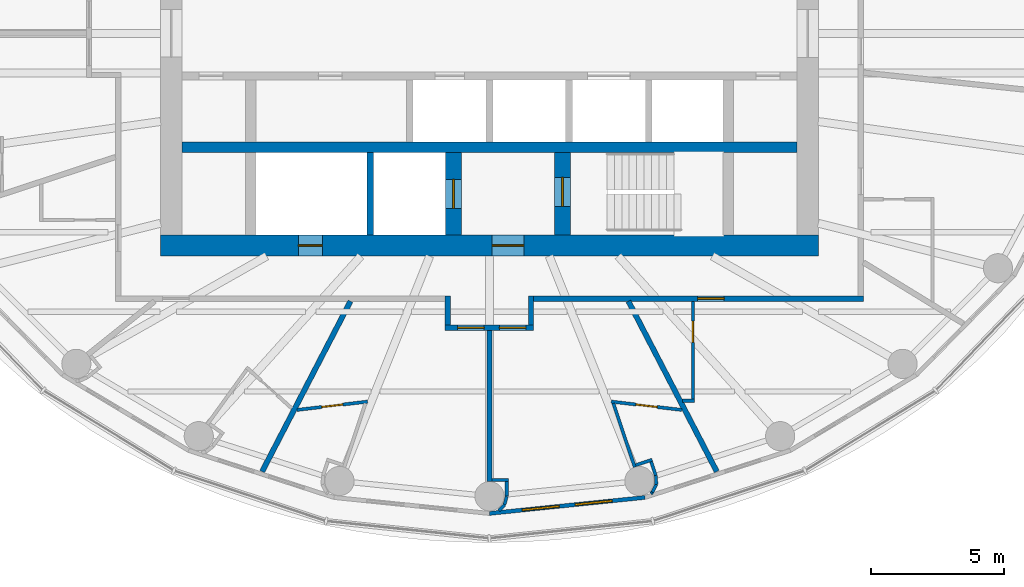
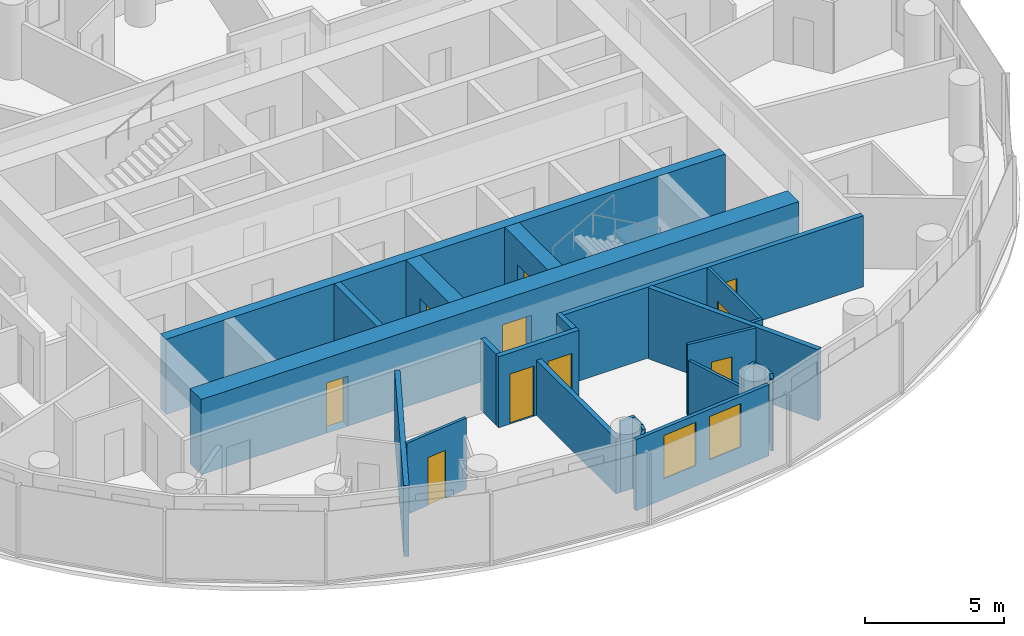
# One storey, part 7 of 13: 27 walls, 10 doors, 2 windows, 12 openings.
"""IFC4 building model written with IfcOpenShell, lengths in metres."""

from ifc_helpers import new_model, si_unit, direction, frame, frame_2d, origin, place, context, subcontext, project, spatial, rectangle, extrude, material, layer, layer_set, type_object, element, fill, save


model = new_model("IFC4")

# Units and contexts
model_context = context("Model", 3, precision=1e-05, world=origin(), true_north=direction((0.0, 1.0)))
body_context = subcontext(model_context, "Body", "Model", "MODEL_VIEW")
ifc_project = project(units=[si_unit("LENGTHUNIT", "METRE"), si_unit("AREAUNIT", "SQUARE_METRE"), si_unit("VOLUMEUNIT", "CUBIC_METRE"), si_unit("PLANEANGLEUNIT", "RADIAN"), si_unit("MASSUNIT", "GRAM", prefix="KILO")], contexts=[model_context])

# Site, building, storey
site_placement = place(None, origin())
site = spatial("IfcSite", under=ifc_project, at=site_placement, CompositionType="ELEMENT")
building_placement = place(site_placement, origin())
building = spatial("IfcBuilding", under=site, at=building_placement, Name="Hankou Lantern Tower", CompositionType="ELEMENT")
storey_placement = place(building_placement, frame((0.0, 0.0, 163.199951171875)))
storey = spatial("IfcBuildingStorey", under=building, at=storey_placement, Name="L43", CompositionType="ELEMENT", Elevation=163.199951171875)

# Wall, openings, doors
ifc_material_1 = material(Name="Concrete C60", Category="concrete")
ifc_layer_1 = layer(ifc_material_1, 0.800048828125)
ifc_layer_set_1 = layer_set([ifc_layer_1], Name="Concrete C60")
wall_type_1 = type_object("IfcWallType", Name="CW2 CORE WALL 800", PredefinedType="SHEAR", material=ifc_layer_set_1)
wall_1_placement = place(storey_placement, frame((12.39990234375, -8.0, 0.0), z_axis=(0.0, 0.0, 1.0), x_axis=(-1.0, 0.0, 0.0)))
wall_1 = element("IfcWall", 1, at=wall_1_placement, inside=storey, type_object=wall_type_1, Name="Core wall south L43", PredefinedType="SHEAR", context=body_context, shape_type="SweptSolid", body=[
    extrude(rectangle(XDim=24.7998046875, YDim=0.800048828125, at=frame_2d((12.39990234375, 0.0))), origin(), (0.0, 0.0, 1.0), 3.300048828125),
])
opening_1_placement = place(wall_1_placement, frame((11.10009765625, 0.0, 0.0)))
opening_1 = element("IfcOpeningElement", 2, at=opening_1_placement, cuts=wall_1, Name="Opening D5", PredefinedType="OPENING", context=body_context, shape_type="SweptSolid", body=[
    extrude(rectangle(XDim=1.199951171875, YDim=2.199951171875, at=frame_2d((0.60009765625, 1.10009765625))), frame((0.0, 0.409912109375, 0.0), z_axis=(0.0, -1.0, 0.0), x_axis=(1.0, 0.0, 0.0)), (0.0, 0.0, 1.0), 0.820068359375),
])
opening_2_placement = place(wall_1_placement, frame((18.699951171875, 0.0, 0.0)))
opening_2 = element("IfcOpeningElement", 3, at=opening_2_placement, cuts=wall_1, Name="Opening D7", PredefinedType="OPENING", context=body_context, shape_type="SweptSolid", body=[
    extrude(rectangle(XDim=0.89990234375, YDim=2.199951171875, at=frame_2d((0.449951171875, 1.10009765625))), frame((0.0, 0.409912109375, 0.0), z_axis=(0.0, -1.0, 0.0), x_axis=(1.0, 0.0, 0.0)), (0.0, 0.0, 1.0), 0.820068359375),
])
ifc_material_2 = material(Name="Steel door leaf", Category="steel")
door_type_1 = type_object("IfcDoorType", Name="D5 STAIR LOBBY DOOR 1200X2200", OperationType="SINGLE_SWING_LEFT", PredefinedType="DOOR", material=ifc_material_2)
door_1_placement = place(opening_1_placement, origin())
door_1 = element("IfcDoor", 4, at=door_1_placement, inside=storey, type_object=door_type_1, Name="Stair B lobby door", OperationType="SINGLE_SWING_LEFT", OverallHeight=2.199951171875, OverallWidth=1.199951171875, PredefinedType="DOOR", context=body_context, shape_type="SweptSolid", body=[
    extrude(rectangle(XDim=1.199951171875, YDim=2.199951171875, at=frame_2d((0.60009765625, 1.10009765625))), frame((0.0, 0.02490234375, 0.0), z_axis=(0.0, -1.0, 0.0), x_axis=(1.0, 0.0, 0.0)), (0.0, 0.0, 1.0), 0.050048828125),
])
fill(opening_1, door_1)
ifc_material_3 = material(Name="Steel door leaf", Category="steel")
door_type_2 = type_object("IfcDoorType", Name="D7 RISER DOOR 900X2200", OperationType="SINGLE_SWING_LEFT", PredefinedType="DOOR", material=ifc_material_3)
door_2_placement = place(opening_2_placement, origin())
door_2 = element("IfcDoor", 5, at=door_2_placement, inside=storey, type_object=door_type_2, Name="Riser S1 door", OperationType="SINGLE_SWING_RIGHT", OverallHeight=2.199951171875, OverallWidth=0.89990234375, PredefinedType="DOOR", context=body_context, shape_type="SweptSolid", body=[
    extrude(rectangle(XDim=0.89990234375, YDim=2.199951171875, at=frame_2d((0.449951171875, 1.10009765625))), frame((0.0, 0.02490234375, 0.0), z_axis=(0.0, -1.0, 0.0), x_axis=(1.0, 0.0, 0.0)), (0.0, 0.0, 1.0), 0.050048828125),
])
fill(opening_2, door_2)

# Wall
ifc_material_4 = material(Name="Concrete C60", Category="concrete")
ifc_layer_2 = layer(ifc_material_4, 0.39990234375)
ifc_layer_set_2 = layer_set([ifc_layer_2], Name="Concrete C60")
wall_type_2 = type_object("IfcWallType", Name="CW4 CORE CROSS WALL 400", PredefinedType="SHEAR", material=ifc_layer_set_2)
wall_2_placement = place(storey_placement, frame((-11.60009765625, -4.300048828125, 0.0), z_axis=(0.0, 0.0, 1.0), x_axis=(1.0, 0.0, 0.0)))
element("IfcWall", 6, at=wall_2_placement, inside=storey, type_object=wall_type_2, Name="Core band wall south L43", PredefinedType="SHEAR", context=body_context, shape_type="SweptSolid", body=[
    extrude(rectangle(XDim=23.2001953125, YDim=0.39990234375, at=frame_2d((11.60009765625, 0.0))), origin(), (0.0, 0.0, 1.0), 3.300048828125),
])

# Wall, opening, door
ifc_material_5 = material(Name="Concrete C60", Category="concrete")
ifc_layer_3 = layer(ifc_material_5, 0.60009765625)
ifc_layer_set_3 = layer_set([ifc_layer_3], Name="Concrete C60")
wall_type_3 = type_object("IfcWallType", Name="CW6 STAIR AND SHAFT WALL 600", PredefinedType="SHEAR", material=ifc_layer_set_3)
wall_3_placement = place(storey_placement, frame((2.75, -7.60009765625, 0.0), z_axis=(0.0, 0.0, 1.0), x_axis=(0.0, 1.0, 0.0)))
wall_3 = element("IfcWall", 7, at=wall_3_placement, inside=storey, type_object=wall_type_3, Name="Stair wall L43", PredefinedType="SHEAR", context=body_context, shape_type="SweptSolid", body=[
    extrude(rectangle(XDim=3.10009765625, YDim=0.60009765625, at=frame_2d((1.550048828125, 0.0))), origin(), (0.0, 0.0, 1.0), 3.300048828125),
])
opening_3_placement = place(wall_3_placement, frame((1.074951171875, 0.0, 0.0)))
opening_3 = element("IfcOpeningElement", 8, at=opening_3_placement, cuts=wall_3, Name="Opening D4", PredefinedType="OPENING", context=body_context, shape_type="SweptSolid", body=[
    extrude(rectangle(XDim=1.10009765625, YDim=2.199951171875, at=frame_2d((0.550048828125, 1.10009765625))), frame((0.0, 0.31005859375, 0.0), z_axis=(0.0, -1.0, 0.0), x_axis=(1.0, 0.0, 0.0)), (0.0, 0.0, 1.0), 0.6201171875),
])
ifc_material_6 = material(Name="Steel door leaf", Category="steel")
door_type_3 = type_object("IfcDoorType", Name="D4 STAIR DOOR 1100X2200", OperationType="SINGLE_SWING_LEFT", PredefinedType="DOOR", material=ifc_material_6)
door_3_placement = place(opening_3_placement, origin())
door_3 = element("IfcDoor", 9, at=door_3_placement, inside=storey, type_object=door_type_3, Name="Stair B door", OperationType="SINGLE_SWING_RIGHT", OverallHeight=2.199951171875, OverallWidth=1.10009765625, PredefinedType="DOOR", context=body_context, shape_type="SweptSolid", body=[
    extrude(rectangle(XDim=1.10009765625, YDim=2.199951171875, at=frame_2d((0.550048828125, 1.10009765625))), frame((0.0, 0.02490234375, 0.0), z_axis=(0.0, -1.0, 0.0), x_axis=(1.0, 0.0, 0.0)), (0.0, 0.0, 1.0), 0.050048828125),
])
fill(opening_3, door_3)

wall_4_placement = place(storey_placement, frame((-1.35009765625, -7.60009765625, 0.0), z_axis=(0.0, 0.0, 1.0), x_axis=(0.0, 1.0, 0.0)))
wall_4 = element("IfcWall", 10, at=wall_4_placement, inside=storey, type_object=wall_type_3, Name="Firefighting lift shaft wall L43", PredefinedType="SHEAR", context=body_context, shape_type="SweptSolid", body=[
    extrude(rectangle(XDim=3.10009765625, YDim=0.60009765625, at=frame_2d((1.550048828125, 0.0))), origin(), (0.0, 0.0, 1.0), 3.300048828125),
])
opening_4_placement = place(wall_4_placement, frame((1.0, 0.0, 0.0)))
opening_4 = element("IfcOpeningElement", 11, at=opening_4_placement, cuts=wall_4, Name="Opening LD2", PredefinedType="OPENING", context=body_context, shape_type="SweptSolid", body=[
    extrude(rectangle(XDim=1.10009765625, YDim=2.199951171875, at=frame_2d((0.550048828125, 1.10009765625))), frame((0.0, 0.31005859375, 0.0), z_axis=(0.0, -1.0, 0.0), x_axis=(1.0, 0.0, 0.0)), (0.0, 0.0, 1.0), 0.6201171875),
])
ifc_material_7 = material(Name="Steel door leaf", Category="steel")
door_type_4 = type_object("IfcDoorType", Name="LD2 FIREFIGHTING LIFT LANDING DOOR 1100X2200", OperationType="DOUBLE_DOOR_SLIDING", PredefinedType="DOOR", material=ifc_material_7)
door_4_placement = place(opening_4_placement, origin())
door_4 = element("IfcDoor", 12, at=door_4_placement, inside=storey, type_object=door_type_4, Name="Firefighting lift FL2 landing door", OperationType="DOUBLE_DOOR_SLIDING", OverallHeight=2.199951171875, OverallWidth=1.10009765625, PredefinedType="DOOR", context=body_context, shape_type="SweptSolid", body=[
    extrude(rectangle(XDim=1.10009765625, YDim=2.199951171875, at=frame_2d((0.550048828125, 1.10009765625))), frame((0.0, 0.02490234375, 0.0), z_axis=(0.0, -1.0, 0.0), x_axis=(1.0, 0.0, 0.0)), (0.0, 0.0, 1.0), 0.050048828125),
])
fill(opening_4, door_4)

# Wall, openings, windows
ifc_material_8 = material(Name="Aluminium spandrel panel on steel studs", Category="steel")
ifc_layer_4 = layer(ifc_material_8, 0.14990234375)
ifc_layer_set_4 = layer_set([ifc_layer_4], Name="Aluminium spandrel panel on steel studs")
wall_type_4 = type_object("IfcWallType", Name="EW1 INNER SKIN WALL 150", PredefinedType="ELEMENTEDWALL", material=ifc_layer_set_4)
wall_5_placement = place(storey_placement, frame((0.0, -18.10009765625, 0.0), z_axis=(0.0, 0.0, 1.0), x_axis=(0.994751738032, 0.102318032045, 0.0)))
wall_5 = element("IfcWall", 13, at=wall_5_placement, inside=storey, type_object=wall_type_4, Name="Inner skin R19-R20 L43", PredefinedType="ELEMENTEDWALL", context=body_context, shape_type="SweptSolid", body=[
    extrude(rectangle(XDim=5.891357421875, YDim=0.14990234375, at=frame_2d((2.94580078125, 0.0))), origin(), (0.0, 0.0, 1.0), 3.1201171875),
])
opening_5_placement = place(wall_5_placement, frame((1.24560546875, 0.0, 0.89990234375)))
opening_5 = element("IfcOpeningElement", 14, at=opening_5_placement, cuts=wall_5, Name="Opening W3", PredefinedType="OPENING", context=body_context, shape_type="SweptSolid", body=[
    extrude(rectangle(XDim=1.39990234375, YDim=1.89990234375, at=frame_2d((0.699951171875, 0.949951171875))), frame((0.0, 0.0849609375, 0.0), z_axis=(0.0, -1.0, 0.0), x_axis=(1.0, 0.0, 0.0)), (0.0, 0.0, 1.0), 0.169921875),
])
opening_6_placement = place(wall_5_placement, frame((3.24560546875, 0.0, 0.89990234375)))
opening_6 = element("IfcOpeningElement", 15, at=opening_6_placement, cuts=wall_5, Name="Opening W3", PredefinedType="OPENING", context=body_context, shape_type="SweptSolid", body=[
    extrude(rectangle(XDim=1.39990234375, YDim=1.89990234375, at=frame_2d((0.699951171875, 0.949951171875))), frame((0.0, 0.0849609375, 0.0), z_axis=(0.0, -1.0, 0.0), x_axis=(1.0, 0.0, 0.0)), (0.0, 0.0, 1.0), 0.169921875),
])
ifc_material_9 = material(Name="Aluminium framed double glazed window", Category="aluminium")
window_type = type_object("IfcWindowType", Name="W3 GUEST ROOM WINDOW 1400X1900", PartitioningType="DOUBLE_PANEL_VERTICAL", PredefinedType="WINDOW", material=ifc_material_9)
window_1_placement = place(opening_5_placement, origin())
window_1 = element("IfcWindow", 16, at=window_1_placement, inside=storey, type_object=window_type, Name="Window R19.1 L43", OverallHeight=1.89990234375, OverallWidth=1.39990234375, PartitioningType="SINGLE_PANEL", PredefinedType="WINDOW", context=body_context, shape_type="SweptSolid", body=[
    extrude(rectangle(XDim=1.39990234375, YDim=1.89990234375, at=frame_2d((0.699951171875, 0.949951171875))), frame((0.0, 0.030029296875, 0.0), z_axis=(0.0, -1.0, 0.0), x_axis=(1.0, 0.0, 0.0)), (0.0, 0.0, 1.0), 0.06005859375),
])
fill(opening_5, window_1)
window_2_placement = place(opening_6_placement, origin())
window_2 = element("IfcWindow", 17, at=window_2_placement, inside=storey, type_object=window_type, Name="Window R19.2 L43", OverallHeight=1.89990234375, OverallWidth=1.39990234375, PartitioningType="SINGLE_PANEL", PredefinedType="WINDOW", context=body_context, shape_type="SweptSolid", body=[
    extrude(rectangle(XDim=1.39990234375, YDim=1.89990234375, at=frame_2d((0.699951171875, 0.949951171875))), frame((0.0, 0.030029296875, 0.0), z_axis=(0.0, -1.0, 0.0), x_axis=(1.0, 0.0, 0.0)), (0.0, 0.0, 1.0), 0.06005859375),
])
fill(opening_6, window_2)

# Walls
ifc_material_10 = material(Name="Masonry lightweight concrete block", Category="masonry")
ifc_layer_5 = layer(ifc_material_10, 0.199951171875)
ifc_layer_set_5 = layer_set([ifc_layer_5], Name="Masonry lightweight concrete block")
wall_type_5 = type_object("IfcWallType", Name="IW1 GUEST ROOM PARTY WALL 200", PredefinedType="PARTITIONING", material=ifc_layer_set_5)
wall_6_placement = place(storey_placement, frame((-5.239990234375, -10.10009765625, 0.0), z_axis=(0.0, 0.0, 1.0), x_axis=(-0.460532965373, -0.887642601391, 0.0)))
element("IfcWall", 18, at=wall_6_placement, inside=storey, type_object=wall_type_5, Name="Party wall R17-R18", PredefinedType="PARTITIONING", context=body_context, shape_type="SweptSolid", body=[
    extrude(rectangle(XDim=7.2314453125, YDim=0.199951171875, at=frame_2d((3.61572265625, 0.0))), origin(), (0.0, 0.0, 1.0), 3.1201171875),
])
wall_7_placement = place(storey_placement, frame((0.0, -11.199951171875, 0.0), z_axis=(0.0, 0.0, 1.0), x_axis=(0.0, -1.0, 0.0)))
element("IfcWall", 19, at=wall_7_placement, inside=storey, type_object=wall_type_5, Name="Party wall R19", PredefinedType="PARTITIONING", context=body_context, shape_type="SweptSolid", body=[
    extrude(rectangle(XDim=5.699951171875, YDim=0.199951171875, at=frame_2d((2.85009765625, 0.0))), origin(), (0.0, 0.0, 1.0), 2.420166015625),
])
wall_8_placement = place(storey_placement, frame((5.239990234375, -10.10009765625, 0.0), z_axis=(0.0, 0.0, 1.0), x_axis=(0.460532965373, -0.887642601391, 0.0)))
element("IfcWall", 20, at=wall_8_placement, inside=storey, type_object=wall_type_5, Name="Party wall R20-R21", PredefinedType="PARTITIONING", context=body_context, shape_type="SweptSolid", body=[
    extrude(rectangle(XDim=7.2314453125, YDim=0.199951171875, at=frame_2d((3.61572265625, 0.0))), origin(), (0.0, 0.0, 1.0), 3.1201171875),
])

# Wall, openings, doors
ifc_material_11 = material(Name="Masonry lightweight concrete block", Category="masonry")
ifc_layer_6 = layer(ifc_material_11, 0.199951171875)
ifc_layer_set_6 = layer_set([ifc_layer_6], Name="Masonry lightweight concrete block")
wall_type_6 = type_object("IfcWallType", Name="IW2 CORRIDOR WALL 200", PredefinedType="PARTITIONING", material=ifc_layer_set_6)
wall_9_placement = place(storey_placement, frame((1.669921875, -11.10009765625, 0.0), z_axis=(0.0, 0.0, 1.0), x_axis=(-1.0, 0.0, 0.0)))
wall_9 = element("IfcWall", 21, at=wall_9_placement, inside=storey, type_object=wall_type_6, Name="Corridor alcove wall 4307-4308 back", PredefinedType="PARTITIONING", context=body_context, shape_type="SweptSolid", body=[
    extrude(rectangle(XDim=3.33984375, YDim=0.199951171875, at=frame_2d((1.669921875, 0.0))), origin(), (0.0, 0.0, 1.0), 3.1201171875),
])
opening_7_placement = place(wall_9_placement, frame((1.8701171875, 0.0, 0.0)))
opening_7 = element("IfcOpeningElement", 22, at=opening_7_placement, cuts=wall_9, Name="Opening D1", PredefinedType="OPENING", context=body_context, shape_type="SweptSolid", body=[
    extrude(rectangle(XDim=1.0, YDim=2.199951171875, at=frame_2d((0.5, 1.10009765625))), frame((0.0, 0.10986328125, 0.0), z_axis=(0.0, -1.0, 0.0), x_axis=(1.0, 0.0, 0.0)), (0.0, 0.0, 1.0), 0.219970703125),
])
opening_8_placement = place(wall_9_placement, frame((0.300048828125, 0.0, 0.0)))
opening_8 = element("IfcOpeningElement", 23, at=opening_8_placement, cuts=wall_9, Name="Opening D1", PredefinedType="OPENING", context=body_context, shape_type="SweptSolid", body=[
    extrude(rectangle(XDim=1.0, YDim=2.199951171875, at=frame_2d((0.5, 1.10009765625))), frame((0.0, 0.10986328125, 0.0), z_axis=(0.0, -1.0, 0.0), x_axis=(1.0, 0.0, 0.0)), (0.0, 0.0, 1.0), 0.219970703125),
])
ifc_material_12 = material(Name="Steel door leaf", Category="steel")
door_type_5 = type_object("IfcDoorType", Name="D1 GUEST ROOM DOOR 1000X2200", OperationType="SINGLE_SWING_LEFT", PredefinedType="DOOR", material=ifc_material_12)
door_5_placement = place(opening_7_placement, origin())
door_5 = element("IfcDoor", 24, at=door_5_placement, inside=storey, type_object=door_type_5, Name="Guest room door 4307", OperationType="SINGLE_SWING_LEFT", OverallHeight=2.199951171875, OverallWidth=1.0, PredefinedType="DOOR", context=body_context, shape_type="SweptSolid", body=[
    extrude(rectangle(XDim=1.0, YDim=2.199951171875, at=frame_2d((0.5, 1.10009765625))), frame((0.0, 0.02490234375, 0.0), z_axis=(0.0, -1.0, 0.0), x_axis=(1.0, 0.0, 0.0)), (0.0, 0.0, 1.0), 0.050048828125),
])
fill(opening_7, door_5)
door_6_placement = place(opening_8_placement, origin())
door_6 = element("IfcDoor", 25, at=door_6_placement, inside=storey, type_object=door_type_5, Name="Guest room door 4308", OperationType="SINGLE_SWING_RIGHT", OverallHeight=2.199951171875, OverallWidth=1.0, PredefinedType="DOOR", context=body_context, shape_type="SweptSolid", body=[
    extrude(rectangle(XDim=1.0, YDim=2.199951171875, at=frame_2d((0.5, 1.10009765625))), frame((0.0, 0.02490234375, 0.0), z_axis=(0.0, -1.0, 0.0), x_axis=(1.0, 0.0, 0.0)), (0.0, 0.0, 1.0), 0.050048828125),
])
fill(opening_8, door_6)

# Walls
for number, where, z_axis, x_axis, name in (
    (26, (1.570068359375, -9.89990234375, 0.0), (0.0, 0.0, 1.0), (0.0, -1.0, 0.0), "Corridor alcove wall 4307-4308 left"),
    (27, (-1.570068359375, -9.89990234375, 0.0), (0.0, 0.0, 1.0), (0.0, -1.0, 0.0), "Corridor alcove wall 4307-4308 right"),
):
    element("IfcWall", number, at=place(storey_placement, frame(where, z_axis=z_axis, x_axis=x_axis)), inside=storey, type_object=wall_type_6, Name=name, PredefinedType="PARTITIONING", context=body_context, shape_type="SweptSolid", body=[
        extrude(rectangle(XDim=1.10009765625, YDim=0.199951171875, at=frame_2d((0.550048828125, 0.0))), origin(), (0.0, 0.0, 1.0), 3.1201171875),
    ])

# Wall, opening, door
wall_10_placement = place(storey_placement, frame((14.10009765625, -10.0, 0.0), z_axis=(0.0, 0.0, 1.0), x_axis=(-1.0, 0.0, 0.0)))
wall_10 = element("IfcWall", 28, at=wall_10_placement, inside=storey, type_object=wall_type_6, Name="Corridor wall south", PredefinedType="PARTITIONING", context=body_context, shape_type="SweptSolid", body=[
    extrude(rectangle(XDim=12.43017578125, YDim=0.199951171875, at=frame_2d((6.215087890625, 0.0))), origin(), (0.0, 0.0, 1.0), 3.1201171875),
])
opening_9_placement = place(wall_10_placement, frame((5.25, 0.0, 0.0)))
opening_9 = element("IfcOpeningElement", 29, at=opening_9_placement, cuts=wall_10, Name="Opening D2", PredefinedType="OPENING", context=body_context, shape_type="SweptSolid", body=[
    extrude(rectangle(XDim=1.0, YDim=2.199951171875, at=frame_2d((0.5, 1.10009765625))), frame((0.0, 0.10986328125, 0.0), z_axis=(0.0, -1.0, 0.0), x_axis=(1.0, 0.0, 0.0)), (0.0, 0.0, 1.0), 0.219970703125),
])
ifc_material_13 = material(Name="Steel door leaf", Category="steel")
door_type_6 = type_object("IfcDoorType", Name="D2 SUITE DOOR 1000X2200", OperationType="SINGLE_SWING_LEFT", PredefinedType="DOOR", material=ifc_material_13)
door_7_placement = place(opening_9_placement, origin())
door_7 = element("IfcDoor", 30, at=door_7_placement, inside=storey, type_object=door_type_6, Name="Suite door 4309", OperationType="SINGLE_SWING_RIGHT", OverallHeight=2.199951171875, OverallWidth=1.0, PredefinedType="DOOR", context=body_context, shape_type="SweptSolid", body=[
    extrude(rectangle(XDim=1.0, YDim=2.199951171875, at=frame_2d((0.5, 1.10009765625))), frame((0.0, 0.02490234375, 0.0), z_axis=(0.0, -1.0, 0.0), x_axis=(1.0, 0.0, 0.0)), (0.0, 0.0, 1.0), 0.050048828125),
])
fill(opening_9, door_7)

ifc_material_14 = material(Name="Masonry lightweight concrete block", Category="masonry")
ifc_layer_7 = layer(ifc_material_14, 0.1201171875)
ifc_layer_set_7 = layer_set([ifc_layer_7], Name="Masonry lightweight concrete block")
wall_type_7 = type_object("IfcWallType", Name="IW3 BATHROOM WALL 120", PredefinedType="PARTITIONING", material=ifc_layer_set_7)
wall_11_placement = place(storey_placement, frame((-7.2529296875, -14.197021484375, 0.0), z_axis=(0.0, 0.0, 1.0), x_axis=(0.993128188393, 0.117031625725, 0.0)))
wall_11 = element("IfcWall", 31, at=wall_11_placement, inside=storey, type_object=wall_type_7, Name="Box wall 4307 1", PredefinedType="PARTITIONING", context=body_context, shape_type="SweptSolid", body=[
    extrude(rectangle(XDim=2.678466796875, YDim=0.1201171875, at=frame_2d((1.33935546875, 0.0))), origin(), (0.0, 0.0, 1.0), 3.1201171875),
])
opening_10_placement = place(wall_11_placement, frame((0.939208984375, 0.0, 0.0)))
opening_10 = element("IfcOpeningElement", 32, at=opening_10_placement, cuts=wall_11, Name="Opening D3", PredefinedType="OPENING", context=body_context, shape_type="SweptSolid", body=[
    extrude(rectangle(XDim=0.800048828125, YDim=2.10009765625, at=frame_2d((0.39990234375, 1.050048828125))), frame((0.0, 0.070068359375, 0.0), z_axis=(0.0, -1.0, 0.0), x_axis=(1.0, 0.0, 0.0)), (0.0, 0.0, 1.0), 0.14013671875),
])
ifc_material_15 = material(Name="Timber door leaf", Category="wood")
door_type_7 = type_object("IfcDoorType", Name="D3 BATHROOM DOOR 800X2100", OperationType="SINGLE_SWING_LEFT", PredefinedType="DOOR", material=ifc_material_15)
door_8_placement = place(opening_10_placement, origin())
door_8 = element("IfcDoor", 33, at=door_8_placement, inside=storey, type_object=door_type_7, Name="En-suite bathroom 4307 door", OperationType="SINGLE_SWING_LEFT", OverallHeight=2.10009765625, OverallWidth=0.800048828125, PredefinedType="DOOR", context=body_context, shape_type="SweptSolid", body=[
    extrude(rectangle(XDim=0.800048828125, YDim=2.10009765625, at=frame_2d((0.39990234375, 1.050048828125))), frame((0.0, 0.02490234375, 0.0), z_axis=(0.0, -1.0, 0.0), x_axis=(1.0, 0.0, 0.0)), (0.0, 0.0, 1.0), 0.050048828125),
])
fill(opening_10, door_8)

wall_12_placement = place(storey_placement, frame((7.2529296875, -14.197021484375, 0.0), z_axis=(0.0, 0.0, 1.0), x_axis=(-0.993128188393, 0.117031625725, 0.0)))
wall_12 = element("IfcWall", 34, at=wall_12_placement, inside=storey, type_object=wall_type_7, Name="Box wall 4308 1", PredefinedType="PARTITIONING", context=body_context, shape_type="SweptSolid", body=[
    extrude(rectangle(XDim=2.678466796875, YDim=0.1201171875, at=frame_2d((1.33935546875, 0.0))), origin(), (0.0, 0.0, 1.0), 3.1201171875),
])
opening_11_placement = place(wall_12_placement, frame((0.939208984375, 0.0, 0.0)))
opening_11 = element("IfcOpeningElement", 35, at=opening_11_placement, cuts=wall_12, Name="Opening D3", PredefinedType="OPENING", context=body_context, shape_type="SweptSolid", body=[
    extrude(rectangle(XDim=0.800048828125, YDim=2.10009765625, at=frame_2d((0.39990234375, 1.050048828125))), frame((0.0, 0.070068359375, 0.0), z_axis=(0.0, -1.0, 0.0), x_axis=(1.0, 0.0, 0.0)), (0.0, 0.0, 1.0), 0.14013671875),
])
door_9_placement = place(opening_11_placement, origin())
door_9 = element("IfcDoor", 36, at=door_9_placement, inside=storey, type_object=door_type_7, Name="En-suite bathroom 4308 door", OperationType="SINGLE_SWING_RIGHT", OverallHeight=2.10009765625, OverallWidth=0.800048828125, PredefinedType="DOOR", context=body_context, shape_type="SweptSolid", body=[
    extrude(rectangle(XDim=0.800048828125, YDim=2.10009765625, at=frame_2d((0.39990234375, 1.050048828125))), frame((0.0, 0.02490234375, 0.0), z_axis=(0.0, -1.0, 0.0), x_axis=(1.0, 0.0, 0.0)), (0.0, 0.0, 1.0), 0.050048828125),
])
fill(opening_11, door_9)

# Walls
wall_13_placement = place(storey_placement, frame((4.67138671875, -13.947509765625, 0.0), z_axis=(0.0, 0.0, 1.0), x_axis=(0.317669167093, -0.948201613729, 0.0)))
element("IfcWall", 37, at=wall_13_placement, inside=storey, type_object=wall_type_7, Name="Box wall 4308 2", PredefinedType="PARTITIONING", context=body_context, shape_type="SweptSolid", body=[
    extrude(rectangle(XDim=2.5400390625, YDim=0.1201171875, at=frame_2d((1.27001953125, 0.0))), origin(), (0.0, 0.0, 1.0), 2.420166015625),
])
wall_14_placement = place(storey_placement, frame((5.51611328125, -16.280029296875, 0.0), z_axis=(0.0, 0.0, 1.0), x_axis=(0.948157944392, 0.317799484717, 0.0)))
element("IfcWall", 38, at=wall_14_placement, inside=storey, type_object=wall_type_7, Name="Column casing 4308 return", PredefinedType="PARTITIONING", context=body_context, shape_type="SweptSolid", body=[
    extrude(rectangle(XDim=0.652099609375, YDim=0.1201171875, at=frame_2d((0.326171875, 0.0))), origin(), (0.0, 0.0, 1.0), 3.1201171875),
])
wall_15_placement = place(storey_placement, frame((6.0966796875, -16.148681640625, 0.0), z_axis=(0.0, 0.0, 1.0), x_axis=(0.317292604854, -0.948327687514, 0.0)))
element("IfcWall", 39, at=wall_15_placement, inside=storey, type_object=wall_type_7, Name="Column casing 4308", PredefinedType="PARTITIONING", context=body_context, shape_type="SweptSolid", body=[
    extrude(rectangle(XDim=0.550048828125, YDim=0.1201171875, at=frame_2d((0.27490234375, 0.0))), origin(), (0.0, 0.0, 1.0), 3.1201171875),
])
for number, where, z_axis, x_axis, name in (
    (40, (6.271240234375, -16.67041015625, 0.0), (0.0, 0.0, 1.0), (0.061477694849, -0.998108457552, 0.0), "Column casing 4308"),
    (41, (6.2919921875, -17.00732421875, 0.0), (0.0, 0.0, 1.0), (-0.445477128334, -0.895293319606, 0.0), "Column casing 4308"),
):
    element("IfcWall", number, at=place(storey_placement, frame(where, z_axis=z_axis, x_axis=x_axis)), inside=storey, type_object=wall_type_7, Name=name, PredefinedType="PARTITIONING", context=body_context, shape_type="SweptSolid", body=[
        extrude(rectangle(XDim=0.337646484375, YDim=0.1201171875, at=frame_2d((0.1689453125, 0.0))), origin(), (0.0, 0.0, 1.0), 3.1201171875),
    ])
wall_16_placement = place(storey_placement, frame((6.1416015625, -17.3095703125, 0.0), z_axis=(0.0, 0.0, 1.0), x_axis=(-0.835039693181, -0.550189704386, 0.0)))
element("IfcWall", 42, at=wall_16_placement, inside=storey, type_object=wall_type_7, Name="Column casing 4308", PredefinedType="PARTITIONING", context=body_context, shape_type="SweptSolid", body=[
    extrude(rectangle(XDim=0.0625, YDim=0.1201171875, at=frame_2d((0.03125, 0.0))), origin(), (0.0, 0.0, 1.0), 3.1201171875),
])
wall_17_placement = place(storey_placement, frame((7.28564453125, -13.85009765625, 0.0), z_axis=(0.0, 0.0, 1.0), x_axis=(1.0, 0.0, 0.0)))
element("IfcWall", 43, at=wall_17_placement, inside=storey, type_object=wall_type_7, Name="Box wall 4309 1", PredefinedType="PARTITIONING", context=body_context, shape_type="SweptSolid", body=[
    extrude(rectangle(XDim=0.4443359375, YDim=0.1201171875, at=frame_2d((0.22216796875, 0.0))), origin(), (0.0, 0.0, 1.0), 3.1201171875),
])

# Wall, opening, door
wall_18_placement = place(storey_placement, frame((7.670166015625, -10.10009765625, 0.0), z_axis=(0.0, 0.0, 1.0), x_axis=(0.0, -1.0, 0.0)))
wall_18 = element("IfcWall", 44, at=wall_18_placement, inside=storey, type_object=wall_type_7, Name="Box wall 4309 1", PredefinedType="PARTITIONING", context=body_context, shape_type="SweptSolid", body=[
    extrude(rectangle(XDim=3.68994140625, YDim=0.1201171875, at=frame_2d((1.844970703125, 0.0))), origin(), (0.0, 0.0, 1.0), 3.1201171875),
])
opening_12_placement = place(wall_18_placement, frame((0.75, 0.0, 0.0)))
opening_12 = element("IfcOpeningElement", 45, at=opening_12_placement, cuts=wall_18, Name="Opening D3", PredefinedType="OPENING", context=body_context, shape_type="SweptSolid", body=[
    extrude(rectangle(XDim=0.800048828125, YDim=2.10009765625, at=frame_2d((0.39990234375, 1.050048828125))), frame((0.0, 0.070068359375, 0.0), z_axis=(0.0, -1.0, 0.0), x_axis=(1.0, 0.0, 0.0)), (0.0, 0.0, 1.0), 0.14013671875),
])
door_10_placement = place(opening_12_placement, origin())
door_10 = element("IfcDoor", 46, at=door_10_placement, inside=storey, type_object=door_type_7, Name="Junior suite 4309 bathroom door", OperationType="SINGLE_SWING_LEFT", OverallHeight=2.10009765625, OverallWidth=0.800048828125, PredefinedType="DOOR", context=body_context, shape_type="SweptSolid", body=[
    extrude(rectangle(XDim=0.800048828125, YDim=2.10009765625, at=frame_2d((0.39990234375, 1.050048828125))), frame((0.0, 0.02490234375, 0.0), z_axis=(0.0, -1.0, 0.0), x_axis=(1.0, 0.0, 0.0)), (0.0, 0.0, 1.0), 0.050048828125),
])
fill(opening_12, door_10)

# Walls
ifc_material_16 = material(Name="Masonry lightweight concrete block", Category="masonry")
ifc_layer_8 = layer(ifc_material_16, 0.1201171875)
ifc_layer_set_8 = layer_set([ifc_layer_8], Name="Masonry lightweight concrete block")
wall_type_8 = type_object("IfcWallType", Name="IW4 PARTITION 120", PredefinedType="PARTITIONING", material=ifc_layer_set_8)
wall_19_placement = place(storey_placement, frame((0.10009765625, -16.840087890625, 0.0), z_axis=(0.0, 0.0, 1.0), x_axis=(1.0, 0.0, 0.0)))
element("IfcWall", 47, at=wall_19_placement, inside=storey, type_object=wall_type_8, Name="Column casing R19 return", PredefinedType="PARTITIONING", context=body_context, shape_type="SweptSolid", body=[
    extrude(rectangle(XDim=0.612060546875, YDim=0.1201171875, at=frame_2d((0.30615234375, 0.0))), origin(), (0.0, 0.0, 1.0), 3.1201171875),
])
wall_20_placement = place(storey_placement, frame((0.65234375, -16.89990234375, 0.0), z_axis=(0.0, 0.0, 1.0), x_axis=(0.0, -1.0, 0.0)))
element("IfcWall", 48, at=wall_20_placement, inside=storey, type_object=wall_type_8, Name="Column casing R19", PredefinedType="PARTITIONING", context=body_context, shape_type="SweptSolid", body=[
    extrude(rectangle(XDim=0.550048828125, YDim=0.1201171875, at=frame_2d((0.27490234375, 0.0))), origin(), (0.0, 0.0, 1.0), 3.1201171875),
])
wall_21_placement = place(storey_placement, frame((0.65234375, -17.449951171875, 0.0), z_axis=(0.0, 0.0, 1.0), x_axis=(-0.258832454679, -0.965922233104, 0.0)))
element("IfcWall", 49, at=wall_21_placement, inside=storey, type_object=wall_type_8, Name="Column casing R19", PredefinedType="PARTITIONING", context=body_context, shape_type="SweptSolid", body=[
    extrude(rectangle(XDim=0.337646484375, YDim=0.1201171875, at=frame_2d((0.1689453125, 0.0))), origin(), (0.0, 0.0, 1.0), 3.1201171875),
])
wall_22_placement = place(storey_placement, frame((0.56494140625, -17.776123046875, 0.0), z_axis=(0.0, 0.0, 1.0), x_axis=(-0.707106781187, -0.707106781187, 0.0)))
element("IfcWall", 50, at=wall_22_placement, inside=storey, type_object=wall_type_8, Name="Column casing R19", PredefinedType="PARTITIONING", context=body_context, shape_type="SweptSolid", body=[
    extrude(rectangle(XDim=0.30078125, YDim=0.1201171875, at=frame_2d((0.150390625, 0.0))), origin(), (0.0, 0.0, 1.0), 3.1201171875),
])
ifc_material_17 = material(Name="Masonry autoclaved aerated concrete block", Category="masonry")
ifc_layer_9 = layer(ifc_material_17, 0.25)
ifc_layer_set_9 = layer_set([ifc_layer_9], Name="Masonry autoclaved aerated concrete block")
wall_type_9 = type_object("IfcWallType", Name="SW1 SHAFT BLOCK WALL 250", PredefinedType="PARTITIONING", material=ifc_layer_set_9)
wall_23_placement = place(storey_placement, frame((-4.5, -7.60009765625, 0.0), z_axis=(0.0, 0.0, 1.0), x_axis=(0.0, 1.0, 0.0)))
element("IfcWall", 51, at=wall_23_placement, inside=storey, type_object=wall_type_9, Name="Riser wall L43", PredefinedType="PARTITIONING", context=body_context, shape_type="SweptSolid", body=[
    extrude(rectangle(XDim=3.10009765625, YDim=0.25, at=frame_2d((1.550048828125, 0.0))), origin(), (0.0, 0.0, 1.0), 3.300048828125),
])

save(model, "model.ifc")
